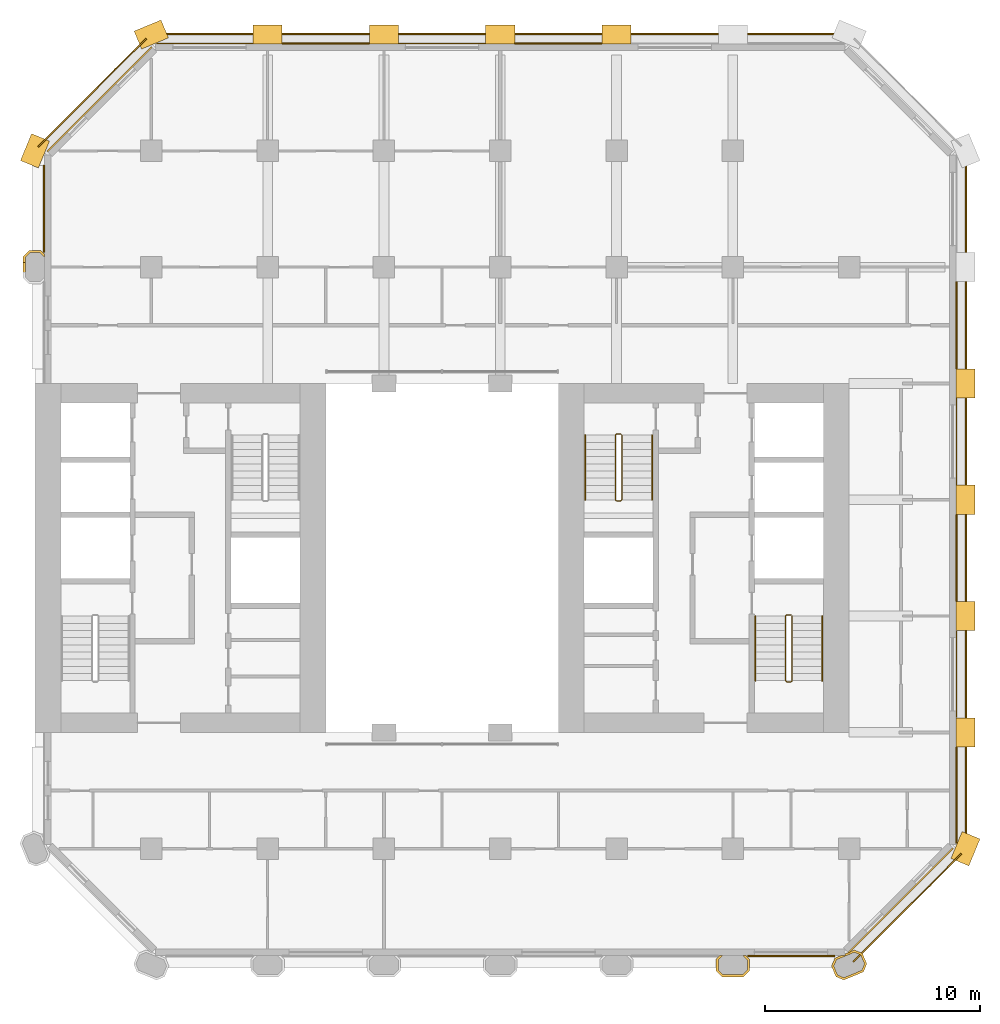
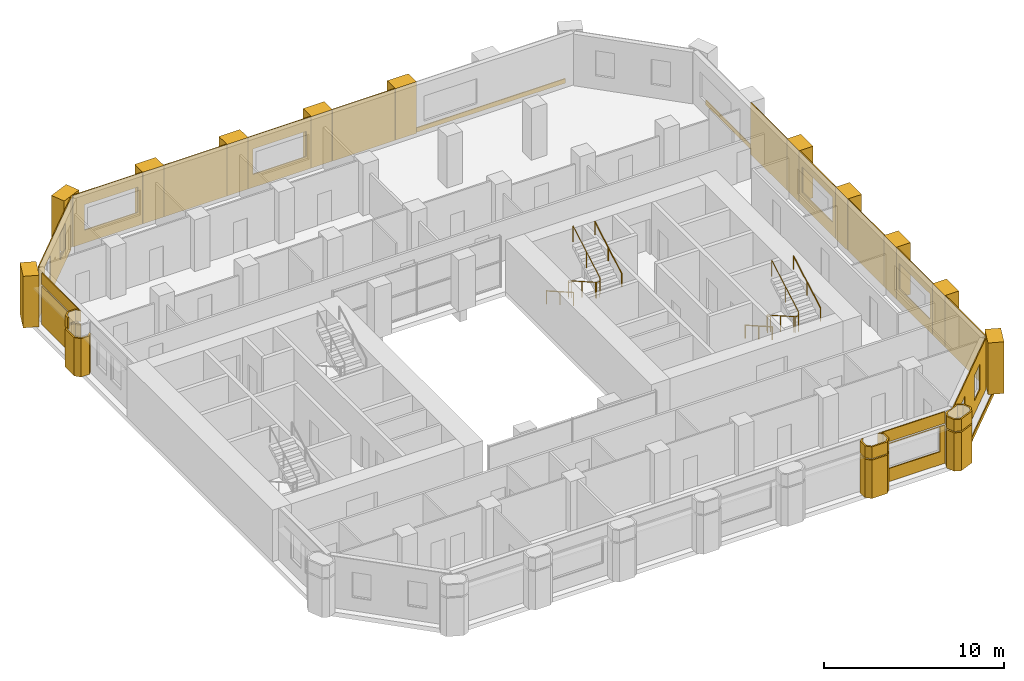
# One storey, part 10 of 11: 36 coverings, 6 railings.
"""IFC4 building model written with IfcOpenShell, lengths in metres."""

from ifc_helpers import new_model, si_unit, direction, frame, frame_2d, origin, origin_2d, place, context, subcontext, project, spatial, polyline, rectangle, circle, outline, extrude, material, layer, layer_set, type_object, element, save


model = new_model("IFC4")

# Units and contexts
model_context = context("Model", 3, precision=1e-05, world=origin(), true_north=direction((0.0, 1.0)))
body_context = subcontext(model_context, "Body", "Model", "MODEL_VIEW")
ifc_project = project(units=[si_unit("LENGTHUNIT", "METRE"), si_unit("AREAUNIT", "SQUARE_METRE"), si_unit("VOLUMEUNIT", "CUBIC_METRE"), si_unit("PLANEANGLEUNIT", "RADIAN"), si_unit("MASSUNIT", "GRAM", prefix="KILO")], contexts=[model_context])

# Site, building, storey
site_placement = place(None, origin())
site = spatial("IfcSite", under=ifc_project, at=site_placement, CompositionType="ELEMENT")
building_placement = place(site_placement, origin())
building = spatial("IfcBuilding", under=site, at=building_placement, Name="Tabaq Tower and Sports Hall", CompositionType="ELEMENT")
storey_placement = place(building_placement, frame((0.0, 0.0, 91.60009765625)))
storey = spatial("IfcBuildingStorey", under=building, at=storey_placement, Name="L21", CompositionType="ELEMENT", Elevation=91.60009765625)

# Coverings
ifc_material_1 = material(Name="Precast concrete C60/75", Category="concrete")
ifc_layer_1 = layer(ifc_material_1, 0.10009765625)
ifc_layer_set_1 = layer_set([ifc_layer_1], Name="Column cladding 100")
covering_type_1 = type_object("IfcCoveringType", Name="Column cladding 100", PredefinedType="CLADDING", material=ifc_layer_set_1)
covering_1_placement = place(storey_placement, origin())
element("IfcCovering", 1, at=covering_1_placement, inside=storey, type_object=covering_type_1, Name="Column cladding L21 PC-2H-O2", PredefinedType="CLADDING", context=body_context, shape_type="SweptSolid", body=[
    extrude(outline(polyline([(5.1337890625, 37.025390625), (4.850341796875, 37.30859375), (4.850341796875, 38.291259765625), (5.1337890625, 38.57470703125), (5.666259765625, 38.57470703125), (5.849609375, 38.391357421875), (5.849609375, 38.250732421875), (5.625244140625, 38.475341796875), (5.1748046875, 38.475341796875), (4.94970703125, 38.250244140625), (4.94970703125, 37.349853515625), (5.1748046875, 37.124755859375), (5.625244140625, 37.124755859375), (5.849609375, 37.349365234375), (5.849609375, 37.208740234375), (5.666259765625, 37.025390625), (5.1337890625, 37.025390625)])), origin(), (0.0, 0.0, 1.0), 2.599853515625),
])
covering_2_placement = place(storey_placement, frame((0.0, 0.0, 2.75)))
element("IfcCovering", 2, at=covering_2_placement, inside=storey, type_object=covering_type_1, Name="Column cladding L21 PC-2H-O2 head 2", PredefinedType="CLADDING", context=body_context, shape_type="SweptSolid", body=[
    extrude(outline(polyline([(4.850341796875, 38.291259765625), (5.1337890625, 38.57470703125), (5.666259765625, 38.57470703125), (5.849609375, 38.391357421875), (5.849609375, 38.250732421875), (5.625244140625, 38.475341796875), (5.1748046875, 38.475341796875), (4.94970703125, 38.250244140625), (4.94970703125, 38.025390625), (4.850341796875, 38.025390625), (4.850341796875, 38.291259765625)])), origin(), (0.0, 0.0, 1.0), 0.75),
])
covering_3_placement = place(storey_placement, origin())
element("IfcCovering", 3, at=covering_3_placement, inside=storey, type_object=covering_type_1, Name="Column cladding L21 PC-8B-O2", PredefinedType="CLADDING", context=body_context, shape_type="SweptSolid", body=[
    extrude(outline(polyline([(37.025390625, 5.666259765625), (37.208740234375, 5.849609375), (37.349365234375, 5.849609375), (37.124755859375, 5.625244140625), (37.124755859375, 5.1748046875), (37.349853515625, 4.94970703125), (38.250244140625, 4.94970703125), (38.475341796875, 5.1748046875), (38.475341796875, 5.625244140625), (38.250732421875, 5.849609375), (38.391357421875, 5.849609375), (38.57470703125, 5.666259765625), (38.57470703125, 5.1337890625), (38.291259765625, 4.850341796875), (37.30859375, 4.850341796875), (37.025390625, 5.1337890625), (37.025390625, 5.666259765625)])), origin(), (0.0, 0.0, 1.0), 2.599853515625),
])
covering_4_placement = place(storey_placement, frame((0.0, 0.0, 2.699951171875)))
element("IfcCovering", 4, at=covering_4_placement, inside=storey, type_object=covering_type_1, Name="Column cladding L21 PC-8B-O2 2", PredefinedType="CLADDING", context=body_context, shape_type="SweptSolid", body=[
    extrude(outline(polyline([(37.025390625, 5.666259765625), (37.208740234375, 5.849609375), (37.349365234375, 5.849609375), (37.124755859375, 5.625244140625), (37.124755859375, 5.1748046875), (37.349853515625, 4.94970703125), (38.250244140625, 4.94970703125), (38.475341796875, 5.1748046875), (38.475341796875, 5.625244140625), (38.250732421875, 5.849609375), (38.391357421875, 5.849609375), (38.57470703125, 5.666259765625), (38.57470703125, 5.1337890625), (38.291259765625, 4.850341796875), (37.30859375, 4.850341796875), (37.025390625, 5.1337890625), (37.025390625, 5.666259765625)])), origin(), (0.0, 0.0, 1.0), 0.800048828125),
])
covering_5_placement = place(storey_placement, origin())
element("IfcCovering", 5, at=covering_5_placement, inside=storey, type_object=covering_type_1, Name="Column cladding L21 PC-9B-O2", PredefinedType="CLADDING", context=body_context, shape_type="SweptSolid", body=[
    extrude(outline(polyline([(42.38232421875, 5.349609375), (42.53564453125, 5.7197265625), (42.84912109375, 5.849609375), (43.013916015625, 5.849609375), (43.013916015625, 5.91796875), (43.16748046875, 5.9814453125), (43.198974609375, 5.9501953125), (43.27490234375, 6.026123046875), (43.443603515625, 6.095947265625), (43.813720703125, 5.9423828125), (44.017578125, 5.450439453125), (43.8642578125, 5.080078125), (42.95654296875, 4.7041015625), (42.586181640625, 4.857421875), (42.38232421875, 5.349609375)]), holes=[polyline([(43.91015625, 5.450439453125), (43.73779296875, 5.866455078125), (43.443603515625, 5.98828125), (42.61181640625, 5.643798828125), (42.489990234375, 5.349609375), (42.662353515625, 4.93359375), (42.95654296875, 4.811767578125), (43.7880859375, 5.15625), (43.91015625, 5.450439453125)])]), origin(), (0.0, 0.0, 1.0), 2.599853515625),
])
covering_6_placement = place(storey_placement, frame((0.0, 0.0, 2.699951171875)))
element("IfcCovering", 6, at=covering_6_placement, inside=storey, type_object=covering_type_1, Name="Column cladding L21 PC-9B-O2 2", PredefinedType="CLADDING", context=body_context, shape_type="SweptSolid", body=[
    extrude(outline(polyline([(42.38232421875, 5.349609375), (42.53564453125, 5.7197265625), (42.84912109375, 5.849609375), (43.013916015625, 5.849609375), (43.013916015625, 5.91796875), (43.16748046875, 5.9814453125), (43.198974609375, 5.9501953125), (43.27490234375, 6.026123046875), (43.443603515625, 6.095947265625), (43.813720703125, 5.9423828125), (44.017578125, 5.450439453125), (43.8642578125, 5.080078125), (42.95654296875, 4.7041015625), (42.586181640625, 4.857421875), (42.38232421875, 5.349609375)]), holes=[polyline([(43.91015625, 5.450439453125), (43.73779296875, 5.866455078125), (43.443603515625, 5.98828125), (42.61181640625, 5.643798828125), (42.489990234375, 5.349609375), (42.662353515625, 4.93359375), (42.95654296875, 4.811767578125), (43.7880859375, 5.15625), (43.91015625, 5.450439453125)])]), origin(), (0.0, 0.0, 1.0), 0.800048828125),
])
ifc_material_2 = material(Name="Precast concrete C60/75", Category="concrete")
ifc_layer_2 = layer(ifc_material_2, 0.06005859375)
ifc_layer_set_2 = layer_set([ifc_layer_2], Name="Edge beam cladding 60")
covering_type_2 = type_object("IfcCoveringType", Name="Edge beam cladding 60", PredefinedType="CLADDING", material=ifc_layer_set_2)
covering_7_placement = place(storey_placement, frame((43.39794921875, 5.5556640625, -0.300048828125), z_axis=(0.0, 0.0, 1.0), x_axis=(0.707124002701, 0.707089559252, 0.0)))
element("IfcCovering", 7, at=covering_7_placement, inside=storey, type_object=covering_type_2, Name="Edge beam cladding L21 1", PredefinedType="CLADDING", context=body_context, shape_type="SweptSolid", body=[
    extrude(rectangle(XDim=7.088134765625, YDim=0.06005859375, at=frame_2d((3.5439453125, 0.0))), origin(), (0.0, 0.0, 1.0), 0.300048828125),
])
for number, where, z_axis, x_axis, name in (
    (8, (48.6298828125, 11.0986328125, -0.300048828125), (0.0, 0.0, 1.0), (0.0, 1.0, 0.0), "Edge beam cladding L21 2"),
    (9, (42.9013671875, 48.6298828125, -0.300048828125), (0.0, 0.0, 1.0), (-1.0, 0.0, 0.0), "Edge beam cladding L21 4"),
):
    element("IfcCovering", number, at=place(storey_placement, frame(where, z_axis=z_axis, x_axis=x_axis)), inside=storey, type_object=covering_type_2, Name=name, PredefinedType="CLADDING", context=body_context, shape_type="SweptSolid", body=[
        extrude(rectangle(XDim=31.802734375, YDim=0.06005859375, at=frame_2d((15.9013671875, 0.0))), origin(), (0.0, 0.0, 1.0), 0.300048828125),
    ])
covering_8_placement = place(storey_placement, frame((10.567626953125, 48.41015625, -0.300048828125), z_axis=(0.0, 0.0, 1.0), x_axis=(-0.707089559252, -0.707124002701, 0.0)))
element("IfcCovering", 10, at=covering_8_placement, inside=storey, type_object=covering_type_2, Name="Edge beam cladding L21 5", PredefinedType="CLADDING", context=body_context, shape_type="SweptSolid", body=[
    extrude(rectangle(XDim=7.088134765625, YDim=0.06005859375, at=frame_2d((3.5439453125, 0.0))), origin(), (0.0, 0.0, 1.0), 0.300048828125),
])
ifc_material_3 = material(Name="White precast concrete C60/75", Category="concrete")
covering_type_3 = type_object("IfcCoveringType", Name="Pier cladding hung 1350x900", PredefinedType="CLADDING", material=ifc_material_3)
for number, where, z_axis, x_axis, name in (
    (11, (5.658203125, 43.82373046875, 0.0), (0.0, 0.0, 1.0), (-0.382649923473, -0.923893411637, 0.0), "Hung pier cladding 1/8"),
    (12, (11.423583984375, 48.8583984375, 0.0), (0.0, 0.0, 1.0), (-0.923893411637, -0.382649923473, 0.0), "Hung pier cladding 2/9"),
    (13, (16.875, 48.60009765625, 0.0), (0.0, 0.0, 1.0), (-1.0, 0.0, 0.0), "Hung pier cladding 3/9"),
):
    element("IfcCovering", number, at=place(storey_placement, frame(where, z_axis=z_axis, x_axis=x_axis)), inside=storey, type_object=covering_type_3, Name=name, PredefinedType="CLADDING", context=body_context, shape_type="SweptSolid", body=[
        extrude(rectangle(XDim=1.35009765625, YDim=0.89990234375, at=frame_2d((0.675048828125, 0.0))), origin(), (0.0, 0.0, 1.0), 3.5),
    ])
covering_9_placement = place(storey_placement, frame((22.27490234375, 48.60009765625, 0.0), z_axis=(0.0, 0.0, 1.0), x_axis=(-1.0, 0.0, 0.0)))
element("IfcCovering", 14, at=covering_9_placement, inside=storey, type_object=covering_type_3, Name="Hung pier cladding 4/9", PredefinedType="CLADDING", context=body_context, shape_type="SweptSolid", body=[
    extrude(rectangle(XDim=1.349853515625, YDim=0.89990234375, at=frame_2d((0.6748046875, 0.0))), origin(), (0.0, 0.0, 1.0), 3.5),
])
covering_10_placement = place(storey_placement, frame((27.675048828125, 48.60009765625, 0.0), z_axis=(0.0, 0.0, 1.0), x_axis=(-1.0, 0.0, 0.0)))
element("IfcCovering", 15, at=covering_10_placement, inside=storey, type_object=covering_type_3, Name="Hung pier cladding 5/9", PredefinedType="CLADDING", context=body_context, shape_type="SweptSolid", body=[
    extrude(rectangle(XDim=1.35009765625, YDim=0.89990234375, at=frame_2d((0.675048828125, 0.0))), origin(), (0.0, 0.0, 1.0), 3.5),
])
covering_11_placement = place(storey_placement, frame((33.074951171875, 48.60009765625, 0.0), z_axis=(0.0, 0.0, 1.0), x_axis=(-1.0, 0.0, 0.0)))
element("IfcCovering", 16, at=covering_11_placement, inside=storey, type_object=covering_type_3, Name="Hung pier cladding 6/9", PredefinedType="CLADDING", context=body_context, shape_type="SweptSolid", body=[
    extrude(rectangle(XDim=1.349853515625, YDim=0.89990234375, at=frame_2d((0.6748046875, 0.0))), origin(), (0.0, 0.0, 1.0), 3.5),
])
for number, where, z_axis, x_axis, name in (
    (17, (48.341796875, 10.17626953125, 0.0), (0.0, 0.0, 1.0), (0.382649923473, 0.923893411637, 0.0), "Hung pier cladding 9/2"),
    (18, (48.60009765625, 15.52490234375, 0.0), (0.0, 0.0, 1.0), (0.0, 1.0, 0.0), "Hung pier cladding 9/3"),
):
    element("IfcCovering", number, at=place(storey_placement, frame(where, z_axis=z_axis, x_axis=x_axis)), inside=storey, type_object=covering_type_3, Name=name, PredefinedType="CLADDING", context=body_context, shape_type="SweptSolid", body=[
        extrude(rectangle(XDim=1.35009765625, YDim=0.89990234375, at=frame_2d((0.675048828125, 0.0))), origin(), (0.0, 0.0, 1.0), 3.5),
    ])
covering_12_placement = place(storey_placement, frame((48.60009765625, 20.925048828125, 0.0), z_axis=(0.0, 0.0, 1.0), x_axis=(0.0, 1.0, 0.0)))
element("IfcCovering", 19, at=covering_12_placement, inside=storey, type_object=covering_type_3, Name="Hung pier cladding 9/4", PredefinedType="CLADDING", context=body_context, shape_type="SweptSolid", body=[
    extrude(rectangle(XDim=1.349853515625, YDim=0.89990234375, at=frame_2d((0.6748046875, 0.0))), origin(), (0.0, 0.0, 1.0), 3.5),
])
covering_13_placement = place(storey_placement, frame((48.60009765625, 26.324951171875, 0.0), z_axis=(0.0, 0.0, 1.0), x_axis=(0.0, 1.0, 0.0)))
element("IfcCovering", 20, at=covering_13_placement, inside=storey, type_object=covering_type_3, Name="Hung pier cladding 9/5", PredefinedType="CLADDING", context=body_context, shape_type="SweptSolid", body=[
    extrude(rectangle(XDim=1.35009765625, YDim=0.89990234375, at=frame_2d((0.675048828125, 0.0))), origin(), (0.0, 0.0, 1.0), 3.5),
])
covering_14_placement = place(storey_placement, frame((48.60009765625, 31.72509765625, 0.0), z_axis=(0.0, 0.0, 1.0), x_axis=(0.0, 1.0, 0.0)))
element("IfcCovering", 21, at=covering_14_placement, inside=storey, type_object=covering_type_3, Name="Hung pier cladding 9/6", PredefinedType="CLADDING", context=body_context, shape_type="SweptSolid", body=[
    extrude(rectangle(XDim=1.349853515625, YDim=0.89990234375, at=frame_2d((0.6748046875, 0.0))), origin(), (0.0, 0.0, 1.0), 3.5),
])

# Railings
ifc_material_4 = material(Name="Stainless steel", Category="steel")
railing_type_1 = type_object("IfcRailingType", Name="Stair guard", PredefinedType="GUARDRAIL", material=ifc_material_4)
railing_1_placement = place(storey_placement, frame((40.5, 21.64990234375, 0.0)))
element("IfcRailing", 22, at=railing_1_placement, inside=storey, type_object=railing_type_1, Name="L21 ST3 stair guard 1", PredefinedType="GUARDRAIL", context=body_context, shape_type="SweptSolid", body=[
    extrude(circle(Radius=0.02392578125, at=origin_2d()), frame((0.0, 0.0, 1.076171875), z_axis=(-1.0, 0.0, 0.0), x_axis=(0.0, -1.0, 0.0)), (0.0, 0.0, 1.0), 0.199951171875),
    extrude(circle(Radius=0.02392578125, at=origin_2d()), frame((-0.199951171875, 0.0, 1.076171875), z_axis=(-0.246983470365, -0.245778672949, 0.937332389972), x_axis=(0.705375805398, -0.708833529934, 0.0)), (0.0, 0.0, 1.0), 0.20263671875),
    extrude(circle(Radius=0.02392578125, at=origin_2d()), frame((-0.25, -0.0498046875, 1.26611328125), z_axis=(0.0, -0.868782136927, 0.495194505781), x_axis=(1.0, 0.0, 0.0)), (0.0, 0.0, 1.0), 3.453125),
    extrude(circle(Radius=0.02392578125, at=origin_2d()), frame((-0.25, -3.0498046875, 2.97607421875), z_axis=(0.707106781187, -0.707106781187, 0.0), x_axis=(0.707106781187, 0.707106781187, 0.0)), (0.0, 0.0, 1.0), 0.07080078125),
    extrude(circle(Radius=0.02392578125, at=origin_2d()), frame((-0.199951171875, -3.099853515625, 2.97607421875), z_axis=(1.0, 0.0, 0.0), x_axis=(0.0, 1.0, 0.0)), (0.0, 0.0, 1.0), 0.199951171875),
    extrude(circle(Radius=0.02392578125, at=origin_2d()), frame((0.0, -3.099853515625, 2.97607421875), z_axis=(0.246910188598, 0.246910188598, 0.937054276727), x_axis=(-0.707106781187, 0.707106781187, 0.0)), (0.0, 0.0, 1.0), 0.20263671875),
    extrude(circle(Radius=0.02392578125, at=origin_2d()), frame((0.050048828125, -3.0498046875, 3.166015625), z_axis=(0.0, 0.868782136927, 0.495194505781), x_axis=(-1.0, 0.0, 0.0)), (0.0, 0.0, 1.0), 3.453125),
    extrude(circle(Radius=0.02099609375, at=origin_2d()), origin(), (0.0, 0.0, 1.0), 1.052001953125),
    extrude(circle(Radius=0.02099609375, at=origin_2d()), frame((-0.199951171875, 0.0, 0.0)), (0.0, 0.0, 1.0), 1.052001953125),
    extrude(circle(Radius=0.02099609375, at=origin_2d()), frame((-0.25, -0.0498046875, 0.18994140625)), (0.0, 0.0, 1.0), 1.052001953125),
    extrude(circle(Radius=0.02099609375, at=origin_2d()), frame((-0.25, -1.5498046875, 1.044921875)), (0.0, 0.0, 1.0), 1.052001953125),
    extrude(circle(Radius=0.02099609375, at=origin_2d()), frame((-0.25, -3.0498046875, 1.89990234375)), (0.0, 0.0, 1.0), 1.052001953125),
    extrude(circle(Radius=0.02099609375, at=origin_2d()), frame((-0.199951171875, -3.099853515625, 1.89990234375)), (0.0, 0.0, 1.0), 1.052001953125),
    extrude(circle(Radius=0.02099609375, at=origin_2d()), frame((0.0, -3.099853515625, 1.89990234375)), (0.0, 0.0, 1.0), 1.052001953125),
    extrude(circle(Radius=0.02099609375, at=origin_2d()), frame((0.050048828125, -3.0498046875, 2.08984375)), (0.0, 0.0, 1.0), 1.052001953125),
    extrude(circle(Radius=0.02099609375, at=origin_2d()), frame((0.050048828125, -1.5498046875, 2.94482421875)), (0.0, 0.0, 1.0), 1.052001953125),
    extrude(circle(Radius=0.02099609375, at=origin_2d()), frame((0.050048828125, -0.0498046875, 3.7998046875)), (0.0, 0.0, 1.0), 1.052001953125),
])
railing_2_placement = place(storey_placement, frame((32.60009765625, 30.050048828125, 0.0)))
element("IfcRailing", 23, at=railing_2_placement, inside=storey, type_object=railing_type_1, Name="L21 ST4 stair guard 1", PredefinedType="GUARDRAIL", context=body_context, shape_type="SweptSolid", body=[
    extrude(circle(Radius=0.02392578125, at=origin_2d()), frame((0.0, 0.0, 1.076171875), z_axis=(-1.0, 0.0, 0.0), x_axis=(0.0, -1.0, 0.0)), (0.0, 0.0, 1.0), 0.2001953125),
    extrude(circle(Radius=0.02392578125, at=origin_2d()), frame((-0.2001953125, 0.0, 1.076171875), z_axis=(-0.245778672949, -0.246983470365, 0.937332389972), x_axis=(0.708833529934, -0.705375805398, 0.0)), (0.0, 0.0, 1.0), 0.20263671875),
    extrude(circle(Radius=0.02392578125, at=origin_2d()), frame((-0.25, -0.050048828125, 1.26611328125), z_axis=(0.0, -0.868782136927, 0.495194505781), x_axis=(1.0, 0.0, 0.0)), (0.0, 0.0, 1.0), 3.453125),
    extrude(circle(Radius=0.02392578125, at=origin_2d()), frame((-0.25, -3.050048828125, 2.97607421875), z_axis=(0.705375805398, -0.708833529934, 0.0), x_axis=(0.708833529934, 0.705375805398, 0.0)), (0.0, 0.0, 1.0), 0.070556640625),
    extrude(circle(Radius=0.02392578125, at=origin_2d()), frame((-0.2001953125, -3.10009765625, 2.97607421875), z_axis=(1.0, 0.0, 0.0), x_axis=(0.0, 1.0, 0.0)), (0.0, 0.0, 1.0), 0.2001953125),
    extrude(circle(Radius=0.02392578125, at=origin_2d()), frame((0.0, -3.10009765625, 2.97607421875), z_axis=(0.245778672949, 0.246983470365, 0.937332389972), x_axis=(-0.708833529934, 0.705375805398, 0.0)), (0.0, 0.0, 1.0), 0.20263671875),
    extrude(circle(Radius=0.02392578125, at=origin_2d()), frame((0.0498046875, -3.050048828125, 3.166015625), z_axis=(0.0, 0.868782136927, 0.495194505781), x_axis=(-1.0, 0.0, 0.0)), (0.0, 0.0, 1.0), 3.453125),
    extrude(circle(Radius=0.02099609375, at=origin_2d()), origin(), (0.0, 0.0, 1.0), 1.052001953125),
    extrude(circle(Radius=0.02099609375, at=origin_2d()), frame((-0.2001953125, 0.0, 0.0)), (0.0, 0.0, 1.0), 1.052001953125),
    extrude(circle(Radius=0.02099609375, at=origin_2d()), frame((-0.25, -0.050048828125, 0.18994140625)), (0.0, 0.0, 1.0), 1.052001953125),
    extrude(circle(Radius=0.02099609375, at=origin_2d()), frame((-0.25, -1.550048828125, 1.044921875)), (0.0, 0.0, 1.0), 1.052001953125),
    extrude(circle(Radius=0.02099609375, at=origin_2d()), frame((-0.25, -3.050048828125, 1.89990234375)), (0.0, 0.0, 1.0), 1.052001953125),
    extrude(circle(Radius=0.02099609375, at=origin_2d()), frame((-0.2001953125, -3.10009765625, 1.89990234375)), (0.0, 0.0, 1.0), 1.052001953125),
    extrude(circle(Radius=0.02099609375, at=origin_2d()), frame((0.0, -3.10009765625, 1.89990234375)), (0.0, 0.0, 1.0), 1.052001953125),
    extrude(circle(Radius=0.02099609375, at=origin_2d()), frame((0.0498046875, -3.050048828125, 2.08984375)), (0.0, 0.0, 1.0), 1.052001953125),
    extrude(circle(Radius=0.02099609375, at=origin_2d()), frame((0.0498046875, -1.550048828125, 2.94482421875)), (0.0, 0.0, 1.0), 1.052001953125),
    extrude(circle(Radius=0.02099609375, at=origin_2d()), frame((0.0498046875, -0.050048828125, 3.7998046875)), (0.0, 0.0, 1.0), 1.052001953125),
])
ifc_material_5 = material(Name="Stainless steel", Category="steel")
railing_type_2 = type_object("IfcRailingType", Name="Stair handrail", PredefinedType="HANDRAIL", material=ifc_material_5)
railing_3_placement = place(storey_placement, frame((38.85009765625, 21.60009765625, 0.18994140625)))
element("IfcRailing", 24, at=railing_3_placement, inside=storey, type_object=railing_type_2, Name="L21 ST3 stair handrail 1", PredefinedType="HANDRAIL", context=body_context, shape_type="SweptSolid", body=[
    extrude(circle(Radius=0.02392578125, at=origin_2d()), frame((0.0, 0.0, 0.8759765625), z_axis=(0.0, -0.868782136927, 0.495194505781), x_axis=(1.0, 0.0, 0.0)), (0.0, 0.0, 1.0), 3.453125),
    extrude(circle(Radius=0.02099609375, at=origin_2d()), origin(), (0.0, 0.0, 1.0), 0.851806640625),
    extrude(circle(Radius=0.02099609375, at=origin_2d()), frame((0.0, -1.5, 0.85498046875)), (0.0, 0.0, 1.0), 0.851806640625),
    extrude(circle(Radius=0.02099609375, at=origin_2d()), frame((0.0, -3.0, 1.7099609375)), (0.0, 0.0, 1.0), 0.851806640625),
])
railing_4_placement = place(storey_placement, frame((41.949951171875, 18.60009765625, 2.08984375)))
element("IfcRailing", 25, at=railing_4_placement, inside=storey, type_object=railing_type_2, Name="L21 ST3 stair handrail 2", PredefinedType="HANDRAIL", context=body_context, shape_type="SweptSolid", body=[
    extrude(circle(Radius=0.02392578125, at=origin_2d()), frame((0.0, 0.0, 0.8759765625), z_axis=(0.0, 0.868782136927, 0.495194505781), x_axis=(-1.0, 0.0, 0.0)), (0.0, 0.0, 1.0), 3.453125),
    extrude(circle(Radius=0.02099609375, at=origin_2d()), origin(), (0.0, 0.0, 1.0), 0.851806640625),
    extrude(circle(Radius=0.02099609375, at=origin_2d()), frame((0.0, 1.5, 0.85498046875)), (0.0, 0.0, 1.0), 0.851806640625),
    extrude(circle(Radius=0.02099609375, at=origin_2d()), frame((0.0, 3.0, 1.7099609375)), (0.0, 0.0, 1.0), 0.851806640625),
])
railing_5_placement = place(storey_placement, frame((30.949951171875, 30.0, 0.18994140625)))
element("IfcRailing", 26, at=railing_5_placement, inside=storey, type_object=railing_type_2, Name="L21 ST4 stair handrail 1", PredefinedType="HANDRAIL", context=body_context, shape_type="SweptSolid", body=[
    extrude(circle(Radius=0.02392578125, at=origin_2d()), frame((0.0, 0.0, 0.8759765625), z_axis=(0.0, -0.868782136927, 0.495194505781), x_axis=(1.0, 0.0, 0.0)), (0.0, 0.0, 1.0), 3.453125),
    extrude(circle(Radius=0.02099609375, at=origin_2d()), origin(), (0.0, 0.0, 1.0), 0.851806640625),
    extrude(circle(Radius=0.02099609375, at=origin_2d()), frame((0.0, -1.5, 0.85498046875)), (0.0, 0.0, 1.0), 0.851806640625),
    extrude(circle(Radius=0.02099609375, at=origin_2d()), frame((0.0, -3.0, 1.7099609375)), (0.0, 0.0, 1.0), 0.851806640625),
])
railing_6_placement = place(storey_placement, frame((34.050048828125, 27.0, 2.08984375)))
element("IfcRailing", 27, at=railing_6_placement, inside=storey, type_object=railing_type_2, Name="L21 ST4 stair handrail 2", PredefinedType="HANDRAIL", context=body_context, shape_type="SweptSolid", body=[
    extrude(circle(Radius=0.02392578125, at=origin_2d()), frame((0.0, 0.0, 0.8759765625), z_axis=(0.0, 0.868782136927, 0.495194505781), x_axis=(-1.0, 0.0, 0.0)), (0.0, 0.0, 1.0), 3.453125),
    extrude(circle(Radius=0.02099609375, at=origin_2d()), origin(), (0.0, 0.0, 1.0), 0.851806640625),
    extrude(circle(Radius=0.02099609375, at=origin_2d()), frame((0.0, 1.5, 0.85498046875)), (0.0, 0.0, 1.0), 0.851806640625),
    extrude(circle(Radius=0.02099609375, at=origin_2d()), frame((0.0, 3.0, 1.7099609375)), (0.0, 0.0, 1.0), 0.851806640625),
])

# Coverings
ifc_material_6 = material(Name="Precast concrete C60/75", Category="concrete")
ifc_layer_3 = layer(ifc_material_6, 0.06005859375)
ifc_layer_set_3 = layer_set([ifc_layer_3], Name="White precast cladding panel 60 C60/75")
covering_type_4 = type_object("IfcCoveringType", Name="White precast cladding panel 60 C60/75", PredefinedType="CLADDING", material=ifc_layer_set_3)
covering_15_placement = place(storey_placement, frame((38.485107421875, 5.820068359375, 0.0), z_axis=(0.0, 0.0, 1.0), x_axis=(1.0, 0.0, 0.0)))
element("IfcCovering", 28, at=covering_15_placement, inside=storey, type_object=covering_type_4, Name="White precast cladding panel L21 wall00 11", PredefinedType="CLADDING", context=body_context, shape_type="SweptSolid", body=[
    extrude(outline(polyline([(0.0, 0.0), (4.0498046875, 0.0), (4.0498046875, 2.58984375), (0.0, 2.58984375), (0.0, 0.0)]), holes=[polyline([(3.72509765625, 0.889892578125), (0.304931640625, 0.889892578125), (0.304931640625, 2.559814453125), (3.72509765625, 2.559814453125), (3.72509765625, 0.889892578125)])]), frame((0.0, 0.030029296875, 0.0), z_axis=(0.0, -1.0, 0.0), x_axis=(1.0, 0.0, 0.0)), (0.0, 0.0, 1.0), 0.06005859375),
])
covering_16_placement = place(storey_placement, frame((38.485107421875, 5.820068359375, 2.7099609375), z_axis=(0.0, 0.0, 1.0), x_axis=(1.0, 0.0, 0.0)))
element("IfcCovering", 29, at=covering_16_placement, inside=storey, type_object=covering_type_4, Name="White precast cladding panel L21 wall00 12", PredefinedType="CLADDING", context=body_context, shape_type="SweptSolid", body=[
    extrude(rectangle(XDim=4.0498046875, YDim=0.06005859375, at=frame_2d((2.02490234375, 0.0))), origin(), (0.0, 0.0, 1.0), 0.7900390625),
])
covering_17_placement = place(storey_placement, frame((43.177734375, 5.9716796875, 0.0), z_axis=(0.0, 0.0, 1.0), x_axis=(0.707106781187, 0.707106781187, 0.0)))
element("IfcCovering", 30, at=covering_17_placement, inside=storey, type_object=covering_type_4, Name="White precast cladding panel L21 wall01", PredefinedType="CLADDING", context=body_context, shape_type="SweptSolid", body=[
    extrude(outline(polyline([(0.0, 0.0), (6.85986328125, 0.0), (6.85986328125, 3.5), (0.0, 3.5), (0.0, 0.0)]), holes=[polyline([(1.269775390625, 2.60986328125), (2.389892578125, 2.60986328125), (2.389892578125, 0.889892578125), (1.269775390625, 0.889892578125), (1.269775390625, 2.60986328125)]), polyline([(4.4697265625, 2.60986328125), (5.58984375, 2.60986328125), (5.58984375, 0.889892578125), (4.4697265625, 0.889892578125), (4.4697265625, 2.60986328125)])]), frame((0.0, 0.030029296875, 0.0), z_axis=(0.0, -1.0, 0.0), x_axis=(1.0, 0.0, 0.0)), (0.0, 0.0, 1.0), 0.06005859375),
])
covering_18_placement = place(storey_placement, frame((48.179931640625, 11.043212890625, 0.0), z_axis=(0.0, 0.0, 1.0), x_axis=(0.0, 1.0, 0.0)))
element("IfcCovering", 31, at=covering_18_placement, inside=storey, type_object=covering_type_4, Name="White precast cladding panel L21 wall02", PredefinedType="CLADDING", context=body_context, shape_type="SweptSolid", body=[
    extrude(rectangle(XDim=4.4716796875, YDim=0.06005859375, at=frame_2d((2.23583984375, 0.0))), origin(), (0.0, 0.0, 1.0), 3.5),
])
covering_19_placement = place(storey_placement, frame((48.179931640625, 16.885009765625, 0.0), z_axis=(0.0, 0.0, 1.0), x_axis=(0.0, 1.0, 0.0)))
element("IfcCovering", 32, at=covering_19_placement, inside=storey, type_object=covering_type_4, Name="White precast cladding panel L21 wall02 2", PredefinedType="CLADDING", context=body_context, shape_type="SweptSolid", body=[
    extrude(outline(polyline([(0.0, 0.0), (4.030029296875, 0.0), (4.030029296875, 3.5), (0.0, 3.5), (0.0, 0.0)]), holes=[polyline([(0.304931640625, 0.889892578125), (0.304931640625, 2.60986328125), (3.72509765625, 2.60986328125), (3.72509765625, 0.889892578125), (0.304931640625, 0.889892578125)])]), frame((0.0, 0.030029296875, 0.0), z_axis=(0.0, -1.0, 0.0), x_axis=(1.0, 0.0, 0.0)), (0.0, 0.0, 1.0), 0.06005859375),
])
covering_20_placement = place(storey_placement, frame((48.179931640625, 22.284912109375, 0.0), z_axis=(0.0, 0.0, 1.0), x_axis=(0.0, 1.0, 0.0)))
element("IfcCovering", 33, at=covering_20_placement, inside=storey, type_object=covering_type_4, Name="White precast cladding panel L21 wall02 3", PredefinedType="CLADDING", context=body_context, shape_type="SweptSolid", body=[
    extrude(rectangle(XDim=4.030029296875, YDim=0.06005859375, at=frame_2d((2.01513671875, 0.0))), origin(), (0.0, 0.0, 1.0), 3.5),
])
covering_21_placement = place(storey_placement, frame((48.179931640625, 27.68505859375, 0.0), z_axis=(0.0, 0.0, 1.0), x_axis=(0.0, 1.0, 0.0)))
element("IfcCovering", 34, at=covering_21_placement, inside=storey, type_object=covering_type_4, Name="White precast cladding panel L21 wall02 4", PredefinedType="CLADDING", context=body_context, shape_type="SweptSolid", body=[
    extrude(outline(polyline([(0.0, 0.0), (4.030029296875, 0.0), (4.030029296875, 3.5), (0.0, 3.5), (0.0, 0.0)]), holes=[polyline([(0.304931640625, 0.889892578125), (0.304931640625, 2.60986328125), (3.72509765625, 2.60986328125), (3.72509765625, 0.889892578125), (0.304931640625, 0.889892578125)])]), frame((0.0, 0.030029296875, 0.0), z_axis=(0.0, -1.0, 0.0), x_axis=(1.0, 0.0, 0.0)), (0.0, 0.0, 1.0), 0.06005859375),
])
for number, where, z_axis, x_axis, name in (
    (35, (48.179931640625, 33.0849609375, 0.0), (0.0, 0.0, 1.0), (0.0, 1.0, 0.0), "White precast cladding panel L21 wall02 5"),
    (36, (31.715087890625, 48.179931640625, 0.0), (0.0, 0.0, 1.0), (-1.0, 0.0, 0.0), "White precast cladding panel L21 wall04 3"),
):
    element("IfcCovering", number, at=place(storey_placement, frame(where, z_axis=z_axis, x_axis=x_axis)), inside=storey, type_object=covering_type_4, Name=name, PredefinedType="CLADDING", context=body_context, shape_type="SweptSolid", body=[
        extrude(rectangle(XDim=4.030029296875, YDim=0.06005859375, at=frame_2d((2.01513671875, 0.0))), origin(), (0.0, 0.0, 1.0), 3.5),
    ])
covering_22_placement = place(storey_placement, frame((26.31494140625, 48.179931640625, 0.0), z_axis=(0.0, 0.0, 1.0), x_axis=(-1.0, 0.0, 0.0)))
element("IfcCovering", 37, at=covering_22_placement, inside=storey, type_object=covering_type_4, Name="White precast cladding panel L21 wall04 4", PredefinedType="CLADDING", context=body_context, shape_type="SweptSolid", body=[
    extrude(outline(polyline([(0.0, 0.0), (4.030029296875, 0.0), (4.030029296875, 3.5), (0.0, 3.5), (0.0, 0.0)]), holes=[polyline([(0.304931640625, 0.889892578125), (0.304931640625, 2.60986328125), (3.72509765625, 2.60986328125), (3.72509765625, 0.889892578125), (0.304931640625, 0.889892578125)])]), frame((0.0, 0.030029296875, 0.0), z_axis=(0.0, -1.0, 0.0), x_axis=(1.0, 0.0, 0.0)), (0.0, 0.0, 1.0), 0.06005859375),
])
covering_23_placement = place(storey_placement, frame((20.9150390625, 48.179931640625, 0.0), z_axis=(0.0, 0.0, 1.0), x_axis=(-1.0, 0.0, 0.0)))
element("IfcCovering", 38, at=covering_23_placement, inside=storey, type_object=covering_type_4, Name="White precast cladding panel L21 wall04 5", PredefinedType="CLADDING", context=body_context, shape_type="SweptSolid", body=[
    extrude(rectangle(XDim=4.030029296875, YDim=0.06005859375, at=frame_2d((2.01513671875, 0.0))), origin(), (0.0, 0.0, 1.0), 3.5),
])
covering_24_placement = place(storey_placement, frame((15.514892578125, 48.179931640625, 0.0), z_axis=(0.0, 0.0, 1.0), x_axis=(-1.0, 0.0, 0.0)))
element("IfcCovering", 39, at=covering_24_placement, inside=storey, type_object=covering_type_4, Name="White precast cladding panel L21 wall04 6", PredefinedType="CLADDING", context=body_context, shape_type="SweptSolid", body=[
    extrude(outline(polyline([(0.0, 0.0), (4.4716796875, 0.0), (4.4716796875, 3.5), (0.0, 3.5), (0.0, 0.0)]), holes=[polyline([(0.304931640625, 0.889892578125), (0.304931640625, 2.60986328125), (3.72509765625, 2.60986328125), (3.72509765625, 0.889892578125), (0.304931640625, 0.889892578125)])]), frame((0.0, 0.030029296875, 0.0), z_axis=(0.0, -1.0, 0.0), x_axis=(1.0, 0.0, 0.0)), (0.0, 0.0, 1.0), 0.06005859375),
])
covering_25_placement = place(storey_placement, frame((10.822265625, 48.0283203125, 0.0), z_axis=(0.0, 0.0, 1.0), x_axis=(-0.707106781187, -0.707106781187, 0.0)))
element("IfcCovering", 40, at=covering_25_placement, inside=storey, type_object=covering_type_4, Name="White precast cladding panel L21 wall05", PredefinedType="CLADDING", context=body_context, shape_type="SweptSolid", body=[
    extrude(outline(polyline([(0.0, 0.0), (6.85986328125, 0.0), (6.85986328125, 3.5), (0.0, 3.5), (0.0, 0.0)]), holes=[polyline([(1.269775390625, 2.60986328125), (2.389892578125, 2.60986328125), (2.389892578125, 0.889892578125), (1.269775390625, 0.889892578125), (1.269775390625, 2.60986328125)]), polyline([(4.4697265625, 2.60986328125), (5.58984375, 2.60986328125), (5.58984375, 0.889892578125), (4.4697265625, 0.889892578125), (4.4697265625, 2.60986328125)])]), frame((0.0, 0.030029296875, 0.0), z_axis=(0.0, -1.0, 0.0), x_axis=(1.0, 0.0, 0.0)), (0.0, 0.0, 1.0), 0.06005859375),
])
covering_26_placement = place(storey_placement, frame((5.820068359375, 42.534912109375, 0.0), z_axis=(0.0, 0.0, 1.0), x_axis=(0.0, -1.0, 0.0)))
element("IfcCovering", 41, at=covering_26_placement, inside=storey, type_object=covering_type_4, Name="White precast cladding panel L21 wall06", PredefinedType="CLADDING", context=body_context, shape_type="SweptSolid", body=[
    extrude(rectangle(XDim=4.0498046875, YDim=0.06005859375, at=frame_2d((2.02490234375, 0.0))), origin(), (0.0, 0.0, 1.0), 2.58984375),
])
covering_27_placement = place(storey_placement, frame((5.820068359375, 42.534912109375, 2.7099609375), z_axis=(0.0, 0.0, 1.0), x_axis=(0.0, -1.0, 0.0)))
element("IfcCovering", 42, at=covering_27_placement, inside=storey, type_object=covering_type_4, Name="White precast cladding panel L21 wall06 2", PredefinedType="CLADDING", context=body_context, shape_type="SweptSolid", body=[
    extrude(rectangle(XDim=4.0498046875, YDim=0.06005859375, at=frame_2d((2.02490234375, 0.0))), origin(), (0.0, 0.0, 1.0), 0.7900390625),
])

save(model, "model.ifc")
